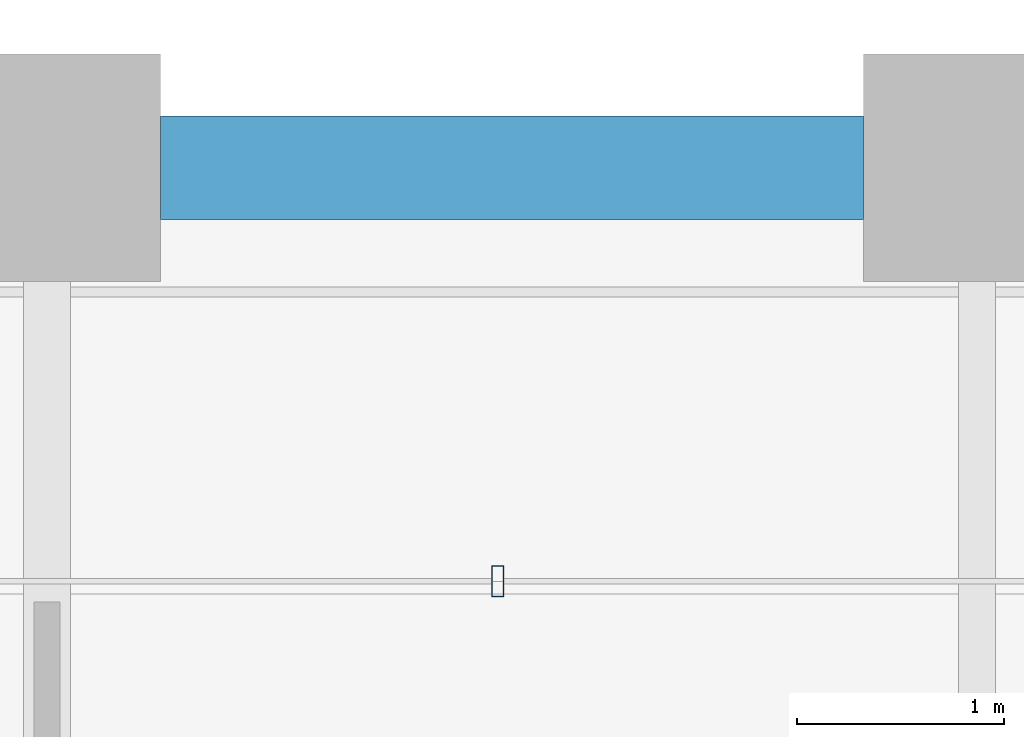
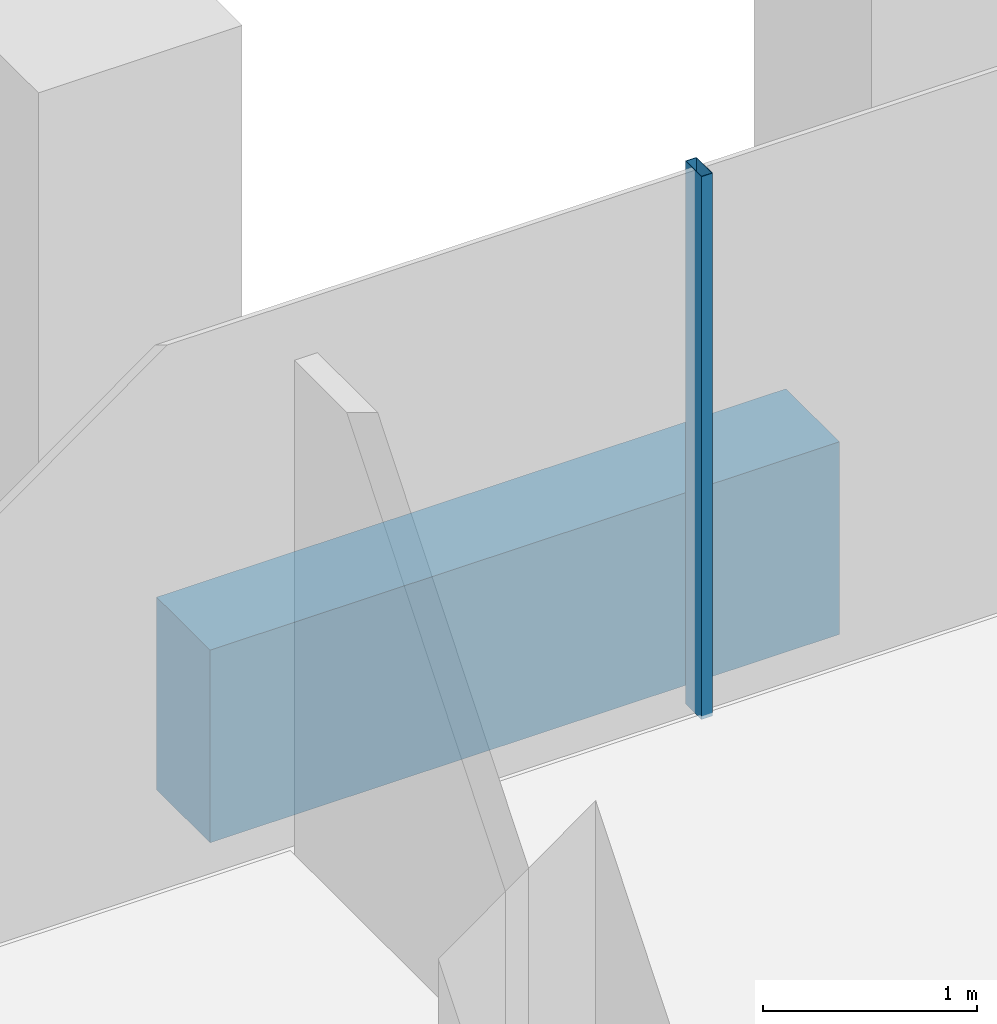
# One storey, part 42 of 56: 1 beam, 1 member, 1 element without a shape of its own.
"""IFC4 building model written with IfcOpenShell, lengths in metres."""

from ifc_helpers import new_model, si_unit, direction, frame, origin, origin_2d, place, context, subcontext, project, spatial, rectangle, hollow_rectangle, extrude, material, material_profile, profile_set, type_object, element, aggregate, save


model = new_model("IFC4")

# Units and contexts
model_context = context("Model", 3, precision=1e-05, world=origin(), true_north=direction((0.0, 1.0)))
body_context = subcontext(model_context, "Body", "Model", "MODEL_VIEW")
ifc_project = project(units=[si_unit("LENGTHUNIT", "METRE"), si_unit("AREAUNIT", "SQUARE_METRE"), si_unit("VOLUMEUNIT", "CUBIC_METRE"), si_unit("PLANEANGLEUNIT", "RADIAN"), si_unit("MASSUNIT", "GRAM", prefix="KILO")], contexts=[model_context])

# Site, building, storey
site_placement = place(None, origin())
site = spatial("IfcSite", under=ifc_project, at=site_placement, CompositionType="ELEMENT")
building_placement = place(site_placement, origin())
building = spatial("IfcBuilding", under=site, at=building_placement, Name="Altepetl Exchange Towers", CompositionType="ELEMENT")
storey_placement = place(building_placement, frame((0.0, 0.0, 72.60009765625)))
storey = spatial("IfcBuildingStorey", under=building, at=storey_placement, Name="L17", CompositionType="ELEMENT", Elevation=72.60009765625)

# Curtain wall, member
ifc_material_1 = material(Name="Aluminium 6063-T6 glazing", Category="aluminium")
curtain_wall_type = type_object("IfcCurtainWallType", Name="Loggia glazing system", PredefinedType="NOTDEFINED", material=ifc_material_1)
curtain_wall_placement = place(storey_placement, origin())
curtain_wall = element("IfcCurtainWall", 1, at=curtain_wall_placement, inside=storey, type_object=curtain_wall_type, Name="CW1 run", PredefinedType="NOTDEFINED")
ifc_material_2 = material(Name="Aluminium 6063-T6", Category="aluminium")
ifc_material_profile_1 = material_profile(ifc_material_2, hollow_rectangle(XDim=0.06005859375, YDim=0.14990234375, WallThickness=0.0029296875, at=origin_2d()), Name="Mullion 60x150 aluminium")
ifc_profile_set_1 = profile_set([ifc_material_profile_1], Name="Aluminium 6063-T6")
member_type = type_object("IfcMemberType", Name="Mullion 60x150 aluminium", PredefinedType="MULLION", material=ifc_profile_set_1)
member_placement = place(storey_placement, frame((105.68115234375, 56.5, 0.0), z_axis=(0.0, 0.0, 1.0), x_axis=(-1.0, 0.0, 0.0)))
member = element("IfcMember", 2, at=member_placement, type_object=member_type, Name="MU1 mullion", PredefinedType="MULLION", context=body_context, shape_type="SweptSolid", body=[
    extrude(hollow_rectangle(XDim=0.06005859375, YDim=0.14990234375, WallThickness=0.0029296875, at=origin_2d()), origin(), (0.0, 0.0, 1.0), 3.099853515625),
])
aggregate(curtain_wall, [member])

# Beam
ifc_material_3 = material(Name="Concrete C50/60 precast with cantera amarilla facing", Category="concrete")
ifc_material_profile_2 = material_profile(ifc_material_3, rectangle(XDim=0.5, YDim=1.10009765625, at=origin_2d()), Name="500 x 1100")
ifc_profile_set_2 = profile_set([ifc_material_profile_2], Name="Concrete C50/60 precast with cantera amarilla facing")
beam_type = type_object("IfcBeamType", Name="Spandrel beam 500x1100 cantera amarilla", PredefinedType="SPANDREL", material=ifc_profile_set_2)
beam_placement = place(storey_placement, frame((107.449951171875, 58.5, -0.7001953125), z_axis=(-1.0, 0.0, 0.0), x_axis=(0.0, -1.0, 0.0)))
element("IfcBeam", 3, at=beam_placement, inside=storey, type_object=beam_type, Name="sp:B:L17:021", PredefinedType="SPANDREL", context=body_context, shape_type="SweptSolid", body=[
    extrude(rectangle(XDim=0.5, YDim=1.10009765625, at=origin_2d()), origin(), (0.0, 0.0, 1.0), 3.39990234375),
])

save(model, "model.ifc")
